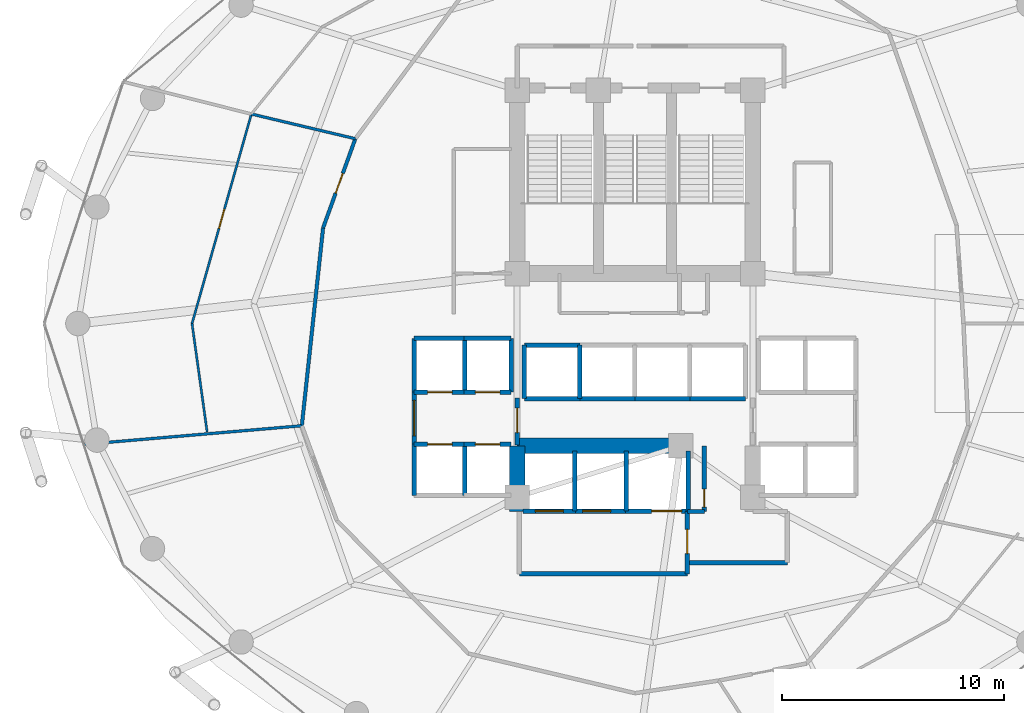
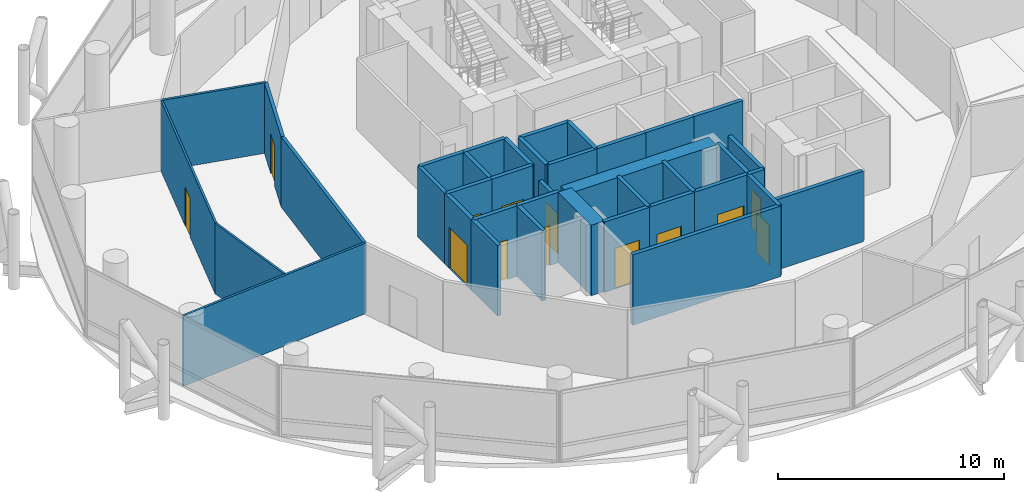
# One storey, part 21 of 24: 39 walls, 13 doors, 13 openings.
"""IFC4 building model written with IfcOpenShell, lengths in metres."""

import ifcopenshell
import ifcopenshell.guid

model = None  # the IFC model being written
_history = None  # IfcOwnerHistory: only IFC2X3 demands one
_inside = {}  # id of a spatial element -> (the spatial element, [elements in it])
_under = {}  # id of a project, library or spatial element -> (it, [spatial elements below it])
_declared = {}  # id of a project -> (the project, [libraries it declares])
_typed = {}  # id of a type object -> (the type object, [elements of that type])
_made_of = {}  # id of a material, layer set ... -> (it, [elements and type objects made of it])


def new_model(schema):
    """Start an empty IFC model of exactly this schema.

    Asked for "IFC4X3", IfcOpenShell would pick the latest addendum, in which some entities
    have other attributes; the version numbers below select the first issue.
    IFC2X3 requires an IfcOwnerHistory on every rooted entity: one is made here for all.
    """
    global model, _history
    if schema == "IFC4X3":
        model = ifcopenshell.file(schema_version=(4, 3, 0, 0))
    else:
        model = ifcopenshell.file(schema=schema)
    _inside.clear()
    _under.clear()
    _declared.clear()
    _typed.clear()
    _made_of.clear()
    _history = None
    if model.schema == "IFC2X3":
        org = make("IfcOrganization", Name="unknown")
        user = make(
            "IfcPersonAndOrganization",
            ThePerson=make("IfcPerson", FamilyName="unknown"),
            TheOrganization=org,
        )
        app = make(
            "IfcApplication",
            ApplicationDeveloper=org,
            Version="unknown",
            ApplicationFullName="unknown",
            ApplicationIdentifier="unknown",
        )
        _history = make(
            "IfcOwnerHistory",
            OwningUser=user,
            OwningApplication=app,
            ChangeAction="ADDED",
            CreationDate=0,
        )
    return model


def make(cls, **values):
    """One entity of the class cls with the attributes given. An attribute that is None is left unset."""
    return model.create_entity(
        cls, **{name: value for name, value in values.items() if value is not None}
    )


def rooted(cls, **values):
    """An entity with a GlobalId (a new one), such as an element, a storey or a relation."""
    return make(cls, GlobalId=ifcopenshell.guid.new(), OwnerHistory=_history, **values)


def si_unit(unit_type, name, prefix=None):
    """IfcSIUnit, for example si_unit("LENGTHUNIT", "METRE", prefix="MILLI")."""
    return make("IfcSIUnit", UnitType=unit_type, Prefix=prefix, Name=name)


def assignment(units):
    """IfcUnitAssignment: the units of a project."""
    return None if units is None else make("IfcUnitAssignment", Units=units)


def point(xyz):
    """IfcCartesianPoint."""
    return None if xyz is None else make("IfcCartesianPoint", Coordinates=xyz)


def direction(xyz):
    """IfcDirection."""
    return None if xyz is None else make("IfcDirection", DirectionRatios=xyz)


def frame(location, z_axis=None, x_axis=None):
    """IfcAxis2Placement3D, a coordinate frame: its origin and axes. An axis left out is left unset."""
    return make(
        "IfcAxis2Placement3D",
        Location=point(location),
        Axis=direction(z_axis),
        RefDirection=direction(x_axis),
    )


def frame_2d(location, x_axis=None):
    """IfcAxis2Placement2D, a coordinate frame in the plane: its origin and x axis."""
    return make(
        "IfcAxis2Placement2D", Location=point(location), RefDirection=direction(x_axis)
    )


def origin():
    """The frame at (0, 0, 0) with its axes left unset."""
    return frame((0.0, 0.0, 0.0))


def place(relative_to, where):
    """IfcLocalPlacement: puts the frame where relative to a parent placement (None: the world)."""
    return make(
        "IfcLocalPlacement", PlacementRelTo=relative_to, RelativePlacement=where
    )


def context(
    kind, dimensions, precision=None, world=None, true_north=None, identifier=None
):
    """IfcGeometricRepresentationContext, for example the 3D "Model" context."""
    return make(
        "IfcGeometricRepresentationContext",
        ContextIdentifier=identifier,
        ContextType=kind,
        CoordinateSpaceDimension=dimensions,
        Precision=precision,
        WorldCoordinateSystem=world,
        TrueNorth=true_north,
    )


def subcontext(parent, identifier, kind, view, scale=None):
    """IfcGeometricRepresentationSubContext, for example "Body" below "Model"."""
    return make(
        "IfcGeometricRepresentationSubContext",
        ContextIdentifier=identifier,
        ContextType=kind,
        ParentContext=parent,
        TargetScale=scale,
        TargetView=view,
    )


def project(units=None, contexts=None):
    """IfcProject with its units and contexts."""
    return rooted(
        "IfcProject",
        Name="project",
        RepresentationContexts=contexts,
        UnitsInContext=assignment(units),
    )


def spatial(cls, under=None, at=None, **own):
    """A site, building, storey or space (cls), placed at a placement, below another one or the project."""
    s = rooted(cls, ObjectPlacement=at, **own)
    if under is not None:
        _under.setdefault(under.id(), (under, []))[1].append(s)
    return s


def profile(cls, at=None, kind="AREA", **sizes):
    """A parametric profile (cls). Its sizes go by their IFC names, for example OverallWidth=200.0."""
    return make(cls, ProfileType=kind, Position=at, **sizes)


def rectangle(**sizes):
    """IfcRectangleProfileDef."""
    return profile("IfcRectangleProfileDef", **sizes)


def extrude(swept, where, along, depth):
    """IfcExtrudedAreaSolid: the profile swept, set in the frame where, extruded along a direction by depth."""
    return make(
        "IfcExtrudedAreaSolid",
        SweptArea=swept,
        Position=where,
        ExtrudedDirection=direction(along),
        Depth=depth,
    )


def shape(context_of_items, identifier, shape_type, items):
    """IfcShapeRepresentation: the items that make up one representation, for example the "Body"."""
    return make(
        "IfcShapeRepresentation",
        ContextOfItems=context_of_items,
        RepresentationIdentifier=identifier,
        RepresentationType=shape_type,
        Items=items,
    )


def material(Name=None, Category=None):
    """IfcMaterial."""
    return make("IfcMaterial", Name=Name, Category=Category)


def layer(
    of_material, thickness, ventilated=None, Name=None, Category=None, Priority=None
):
    """IfcMaterialLayer: one layer of a wall or slab, of a material (None: an air gap)."""
    return make(
        "IfcMaterialLayer",
        Material=of_material,
        LayerThickness=thickness,
        IsVentilated=ventilated,
        Name=Name,
        Category=Category,
        Priority=Priority,
    )


def layer_set(layers, Name=None):
    """IfcMaterialLayerSet."""
    return make("IfcMaterialLayerSet", MaterialLayers=layers, LayerSetName=Name)


def made_of(thing, what):
    """Note that an element or type object is made of a material, layer set ...; save() writes the relation."""
    if what is not None:
        _made_of.setdefault(what.id(), (what, []))[1].append(thing)
    return thing


def type_object(cls, material=None, **own):
    """A type object (cls), such as IfcWallType, which elements share."""
    return made_of(rooted(cls, **own), material)


def element(
    cls,
    number,
    at=None,
    inside=None,
    cuts=None,
    type_object=None,
    material=None,
    context=None,
    identifier="Body",
    shape_type=None,
    held_by="IfcProductDefinitionShape",
    body=None,
    shapes=None,
    **own,
):
    """One element of the class cls, such as IfcWall. Its Tag is "e" and its number.

    at: its placement. inside: the storey or other place that contains it. cuts: it is an
    opening in that element (IfcRelVoidsElement). A single representation is given by context,
    identifier, shape_type and body (its items); several are given by shapes. held_by: the class
    of the entity that holds the representations. save() writes the other relations.
    """
    e = rooted(cls, Tag="e%d" % number, ObjectPlacement=at, **own)
    if body is not None:
        shapes = [shape(context, identifier, shape_type, body)]
    if shapes is not None:
        e.Representation = make(held_by, Representations=shapes)
    if inside is not None:
        _inside.setdefault(inside.id(), (inside, []))[1].append(e)
    if cuts is not None:
        rooted(
            "IfcRelVoidsElement", RelatingBuildingElement=cuts, RelatedOpeningElement=e
        )
    if type_object is not None:
        _typed.setdefault(type_object.id(), (type_object, []))[1].append(e)
    return made_of(e, material)


def fill(opening, filler):
    """IfcRelFillsElement: the door or window that sits in an opening."""
    return rooted(
        "IfcRelFillsElement",
        RelatingOpeningElement=opening,
        RelatedBuildingElement=filler,
    )


def aggregate(whole, parts):
    """IfcRelAggregates: a whole, such as a stair, and the parts it consists of."""
    return rooted("IfcRelAggregates", RelatingObject=whole, RelatedObjects=parts)


def save(model, path):
    """Write the relations noted so far, then the file.

    IfcRelAggregates (storeys below a building ...), IfcRelContainedInSpatialStructure (elements
    in a storey), IfcRelDefinesByType, IfcRelAssociatesMaterial and IfcRelDeclares: one each for
    every whole, place, type object, material and project.
    """
    for whole, parts in _under.values():
        aggregate(whole, parts)
    for where, things in _inside.values():
        rooted(
            "IfcRelContainedInSpatialStructure",
            RelatedElements=things,
            RelatingStructure=where,
        )
    for kind, things in _typed.values():
        rooted("IfcRelDefinesByType", RelatedObjects=things, RelatingType=kind)
    for what, things in _made_of.values():
        rooted("IfcRelAssociatesMaterial", RelatedObjects=things, RelatingMaterial=what)
    for by, libraries in _declared.values():
        rooted("IfcRelDeclares", RelatingContext=by, RelatedDefinitions=libraries)
    model.write(path)


model = new_model("IFC4")

# Units and contexts
model_context = context("Model", 3, precision=1e-05, world=origin(), true_north=direction((0.0, 1.0)))
body_context = subcontext(model_context, "Body", "Model", "MODEL_VIEW")
ifc_project = project(units=[si_unit("LENGTHUNIT", "METRE"), si_unit("AREAUNIT", "SQUARE_METRE"), si_unit("VOLUMEUNIT", "CUBIC_METRE"), si_unit("PLANEANGLEUNIT", "RADIAN"), si_unit("MASSUNIT", "GRAM", prefix="KILO")], contexts=[model_context])

# Site, building, storey
site_placement = place(None, origin())
site = spatial("IfcSite", under=ifc_project, at=site_placement, CompositionType="ELEMENT")
building_placement = place(site_placement, origin())
building = spatial("IfcBuilding", under=site, at=building_placement, Name="Nuhasar Tower", CompositionType="ELEMENT")
storey_placement = place(building_placement, frame((0.0, 0.0, 85.800048828125)))
storey = spatial("IfcBuildingStorey", under=building, at=storey_placement, Name="L20", CompositionType="ELEMENT", Elevation=85.800048828125)

# Walls
ifc_material_1 = material(Name="Concrete C65/80", Category="concrete")
ifc_layer_1 = layer(ifc_material_1, 0.699951171875)
ifc_layer_set_1 = layer_set([ifc_layer_1], Name="Concrete C65/80")
wall_type_1 = type_object("IfcWallType", Name="WL-CORE-700", PredefinedType="SHEAR", material=ifc_layer_set_1)
wall_1_placement = place(storey_placement, frame((33.699951171875, 18.35009765625, 0.0), z_axis=(0.0, 0.0, 1.0), x_axis=(0.0, 1.0, 0.0)))
element("IfcWall", 1, at=wall_1_placement, inside=storey, type_object=wall_type_1, Name="L20 Core Shear Wall CW-SW CW-700", PredefinedType="SHEAR", context=body_context, shape_type="SweptSolid", body=[
    extrude(rectangle(XDim=2.949951171875, YDim=0.699951171875, at=frame_2d((1.47509765625, 0.0))), origin(), (0.0, 0.0, 1.0), 3.800048828125),
])
wall_2_placement = place(storey_placement, frame((33.699951171875, 21.300048828125, 0.0), z_axis=(0.0, 0.0, 1.0), x_axis=(1.0, 0.0, 0.0)))
element("IfcWall", 2, at=wall_2_placement, inside=storey, type_object=wall_type_1, Name="L20 Core Shear Wall CW-S1 CW-700", PredefinedType="SHEAR", context=body_context, shape_type="SweptSolid", body=[
    extrude(rectangle(XDim=7.550048828125, YDim=0.699951171875, at=frame_2d((3.77490234375, 0.0))), origin(), (0.0, 0.0, 1.0), 3.800048828125),
])

# Wall, opening, door
ifc_material_2 = material(Name="Gypsum Board", Category="gypsum")
ifc_layer_2 = layer(ifc_material_2, 0.159912109375)
ifc_layer_set_2 = layer_set([ifc_layer_2], Name="Gypsum Board")
wall_type_2 = type_object("IfcWallType", Name="WL-CORR-160", PredefinedType="PARTITIONING", material=ifc_layer_set_2)
wall_3_placement = place(storey_placement, frame((24.97509765625, 31.10205078125, 0.0), z_axis=(0.0, 0.0, 1.0), x_axis=(0.340183500837, 0.940359072779, 0.0)))
wall_3 = element("IfcWall", 3, at=wall_3_placement, inside=storey, type_object=wall_type_2, Name="L20 Interior Partition CORR-20", PredefinedType="PARTITIONING", context=body_context, shape_type="SweptSolid", body=[
    extrude(rectangle(XDim=4.26220703125, YDim=0.159912109375, at=frame_2d((2.131103515625, 0.0))), origin(), (0.0, 0.0, 1.0), 3.800048828125),
])
opening_1_placement = place(wall_3_placement, frame((1.656005859375, 0.0, 0.0)))
opening_1 = element("IfcOpeningElement", 4, at=opening_1_placement, cuts=wall_3, Name="Opening DO-01", PredefinedType="OPENING", context=body_context, shape_type="SweptSolid", body=[
    extrude(rectangle(XDim=0.949951171875, YDim=2.14990234375, at=frame_2d((0.47509765625, 1.074951171875))), frame((0.0, 0.08984375, 0.0), z_axis=(0.0, -1.0, 0.0), x_axis=(1.0, 0.0, 0.0)), (0.0, 0.0, 1.0), 0.179931640625),
])
ifc_material_3 = material(Name="Timber Oak", Category="wood")
door_type_1 = type_object("IfcDoorType", Name="DR-OFFICE-FD30-950", OperationType="NOTDEFINED", PredefinedType="DOOR", material=ifc_material_3)
door_1_placement = place(opening_1_placement, origin())
door_1 = element("IfcDoor", 5, at=door_1_placement, inside=storey, type_object=door_type_1, Name="L20 Protocol Banquet Dining Room Entry Door", OperationType="SINGLE_SWING_LEFT", OverallHeight=2.14990234375, OverallWidth=0.949951171875, PredefinedType="DOOR", context=body_context, shape_type="SweptSolid", body=[
    extrude(rectangle(XDim=0.949951171875, YDim=2.14990234375, at=frame_2d((0.47509765625, 1.074951171875))), frame((0.0, 0.02490234375, 0.0), z_axis=(0.0, -1.0, 0.0), x_axis=(1.0, 0.0, 0.0)), (0.0, 0.0, 1.0), 0.050048828125),
])
fill(opening_1, door_1)

# Wall
wall_4_placement = place(storey_placement, frame((24.97509765625, 31.10205078125, 0.0), z_axis=(0.0, 0.0, 1.0), x_axis=(-0.106843321034, -0.99427586954, 0.0)))
element("IfcWall", 6, at=wall_4_placement, inside=storey, type_object=wall_type_2, Name="L20 Interior Partition CORR-22", PredefinedType="PARTITIONING", context=body_context, shape_type="SweptSolid", body=[
    extrude(rectangle(XDim=8.9482421875, YDim=0.159912109375, at=frame_2d((4.47412109375, 0.0))), origin(), (0.0, 0.0, 1.0), 3.800048828125),
])

# Wall, opening, door
ifc_material_4 = material(Name="Concrete C45/55", Category="concrete")
ifc_layer_3 = layer(ifc_material_4, 0.199951171875)
ifc_layer_set_3 = layer_set([ifc_layer_3], Name="Concrete C45/55")
wall_type_3 = type_object("IfcWallType", Name="WL-LOBBY-200", PredefinedType="SOLIDWALL", material=ifc_layer_set_3)
wall_5_placement = place(storey_placement, frame((29.070068359375, 21.3798828125, 0.0), z_axis=(0.0, 0.0, 1.0), x_axis=(0.0, 1.0, 0.0)))
wall_5 = element("IfcWall", 7, at=wall_5_placement, inside=storey, type_object=wall_type_3, Name="L20 Interior Partition LLBL-W", PredefinedType="SOLIDWALL", context=body_context, shape_type="SweptSolid", body=[
    extrude(rectangle(XDim=2.340087890625, YDim=0.199951171875, at=frame_2d((1.169921875, 0.0))), origin(), (0.0, 0.0, 1.0), 3.800048828125),
])
opening_2_placement = place(wall_5_placement, frame((0.3701171875, 0.0, 0.0)))
opening_2 = element("IfcOpeningElement", 8, at=opening_2_placement, cuts=wall_5, Name="Opening DC-01", PredefinedType="OPENING", context=body_context, shape_type="SweptSolid", body=[
    extrude(rectangle(XDim=1.60009765625, YDim=2.199951171875, at=frame_2d((0.800048828125, 1.10009765625))), frame((0.0, 0.10986328125, 0.0), z_axis=(0.0, -1.0, 0.0), x_axis=(1.0, 0.0, 0.0)), (0.0, 0.0, 1.0), 0.219970703125),
])
ifc_material_5 = material(Name="Steel S355", Category="steel")
door_type_2 = type_object("IfcDoorType", Name="DR-CORR-FD60-1600", OperationType="DOUBLE_DOOR_SINGLE_SWING", PredefinedType="DOOR", material=ifc_material_5)
door_2_placement = place(opening_2_placement, origin())
door_2 = element("IfcDoor", 9, at=door_2_placement, inside=storey, type_object=door_type_2, Name="L20 Low-Rise Lift Lobby West Entry", OperationType="DOUBLE_DOOR_SINGLE_SWING", OverallHeight=2.199951171875, OverallWidth=1.60009765625, PredefinedType="DOOR", context=body_context, shape_type="SweptSolid", body=[
    extrude(rectangle(XDim=1.60009765625, YDim=2.199951171875, at=frame_2d((0.800048828125, 1.10009765625))), frame((0.0, 0.02490234375, 0.0), z_axis=(0.0, -1.0, 0.0), x_axis=(1.0, 0.0, 0.0)), (0.0, 0.0, 1.0), 0.050048828125),
])
fill(opening_2, door_2)

wall_6_placement = place(storey_placement, frame((33.699951171875, 21.35009765625, 0.0), z_axis=(0.0, 0.0, 1.0), x_axis=(0.0, 1.0, 0.0)))
wall_6 = element("IfcWall", 10, at=wall_6_placement, inside=storey, type_object=wall_type_3, Name="L20 Interior Partition LLBH-W", PredefinedType="SOLIDWALL", context=body_context, shape_type="SweptSolid", body=[
    extrude(rectangle(XDim=2.099853515625, YDim=0.199951171875, at=frame_2d((1.0498046875, 0.0))), origin(), (0.0, 0.0, 1.0), 3.02001953125),
])
opening_3_placement = place(wall_6_placement, frame((0.550048828125, 0.0, 0.0)))
opening_3 = element("IfcOpeningElement", 11, at=opening_3_placement, cuts=wall_6, Name="Opening DS-02", PredefinedType="OPENING", context=body_context, shape_type="SweptSolid", body=[
    extrude(rectangle(XDim=1.10009765625, YDim=2.14990234375, at=frame_2d((0.550048828125, 1.074951171875))), frame((0.0, 0.10986328125, 0.0), z_axis=(0.0, -1.0, 0.0), x_axis=(1.0, 0.0, 0.0)), (0.0, 0.0, 1.0), 0.219970703125),
])
door_type_3 = type_object("IfcDoorType", Name="DR-FFL-FD120-1100", OperationType="NOTDEFINED", PredefinedType="DOOR", material=ifc_material_5)
door_3_placement = place(opening_3_placement, origin())
door_3 = element("IfcDoor", 12, at=door_3_placement, inside=storey, type_object=door_type_3, Name="L20 High-Rise Lobby West Door", OperationType="SINGLE_SWING_RIGHT", OverallHeight=2.14990234375, OverallWidth=1.10009765625, PredefinedType="DOOR", context=body_context, shape_type="SweptSolid", body=[
    extrude(rectangle(XDim=1.10009765625, YDim=2.14990234375, at=frame_2d((0.550048828125, 1.074951171875))), frame((0.0, 0.02490234375, 0.0), z_axis=(0.0, -1.0, 0.0), x_axis=(1.0, 0.0, 0.0)), (0.0, 0.0, 1.0), 0.050048828125),
])
fill(opening_3, door_3)

# Wall
wall_7_placement = place(storey_placement, frame((33.800048828125, 15.550048828125, 0.0), z_axis=(0.0, 0.0, 1.0), x_axis=(1.0, 0.0, 0.0)))
element("IfcWall", 13, at=wall_7_placement, inside=storey, type_object=wall_type_3, Name="L20 Interior Partition FFL-S", PredefinedType="SOLIDWALL", context=body_context, shape_type="SweptSolid", body=[
    extrude(rectangle(XDim=7.550048828125, YDim=0.199951171875, at=frame_2d((3.77490234375, 0.0))), origin(), (0.0, 0.0, 1.0), 3.800048828125),
])

# Wall, opening, door
wall_8_placement = place(storey_placement, frame((41.35009765625, 15.550048828125, 0.0), z_axis=(0.0, 0.0, 1.0), x_axis=(0.0, 1.0, 0.0)))
wall_8 = element("IfcWall", 14, at=wall_8_placement, inside=storey, type_object=wall_type_3, Name="L20 Interior Partition FFL-E", PredefinedType="SOLIDWALL", context=body_context, shape_type="SweptSolid", body=[
    extrude(rectangle(XDim=2.800048828125, YDim=0.199951171875, at=frame_2d((1.39990234375, 0.0))), origin(), (0.0, 0.0, 1.0), 3.800048828125),
])
opening_4_placement = place(wall_8_placement, frame((0.89990234375, 0.0, 0.0)))
opening_4 = element("IfcOpeningElement", 15, at=opening_4_placement, cuts=wall_8, Name="Opening DS-02", PredefinedType="OPENING", context=body_context, shape_type="SweptSolid", body=[
    extrude(rectangle(XDim=1.10009765625, YDim=2.14990234375, at=frame_2d((0.550048828125, 1.074951171875))), frame((0.0, 0.10986328125, 0.0), z_axis=(0.0, -1.0, 0.0), x_axis=(1.0, 0.0, 0.0)), (0.0, 0.0, 1.0), 0.219970703125),
])
door_4_placement = place(opening_4_placement, origin())
door_4 = element("IfcDoor", 16, at=door_4_placement, inside=storey, type_object=door_type_3, Name="L20 Firefighting Lobby Door", OperationType="SINGLE_SWING_RIGHT", OverallHeight=2.14990234375, OverallWidth=1.10009765625, PredefinedType="DOOR", context=body_context, shape_type="SweptSolid", body=[
    extrude(rectangle(XDim=1.10009765625, YDim=2.14990234375, at=frame_2d((0.550048828125, 1.074951171875))), frame((0.0, 0.02490234375, 0.0), z_axis=(0.0, -1.0, 0.0), x_axis=(1.0, 0.0, 0.0)), (0.0, 0.0, 1.0), 0.050048828125),
])
fill(opening_4, door_4)

# Wall
wall_9_placement = place(storey_placement, frame((41.35009765625, 16.050048828125, 0.0), z_axis=(0.0, 0.0, 1.0), x_axis=(1.0, 0.0, 0.0)))
element("IfcWall", 17, at=wall_9_placement, inside=storey, type_object=wall_type_3, Name="L20 Interior Partition SVLV-S", PredefinedType="SOLIDWALL", context=body_context, shape_type="SweptSolid", body=[
    extrude(rectangle(XDim=4.5, YDim=0.199951171875, at=frame_2d((2.25, 0.0))), origin(), (0.0, 0.0, 1.0), 3.800048828125),
])

# Wall, opening, door
ifc_material_6 = material(Name="Aluminium 6063-T6", Category="aluminium")
ifc_layer_4 = layer(ifc_material_6, 0.10009765625)
ifc_layer_set_4 = layer_set([ifc_layer_4], Name="Aluminium 6063-T6")
wall_type_4 = type_object("IfcWallType", Name="WL-MOVABLE-100", PredefinedType="MOVABLE", material=ifc_layer_set_4)
wall_10_placement = place(storey_placement, frame((19.08203125, 26.800048828125, 0.0), z_axis=(0.0, 0.0, 1.0), x_axis=(0.272547183725, 0.962142418067, 0.0)))
wall_10 = element("IfcWall", 18, at=wall_10_placement, inside=storey, type_object=wall_type_4, Name="L20 Interior Partition OMID-03-20", PredefinedType="MOVABLE", context=body_context, shape_type="SweptSolid", body=[
    extrude(rectangle(XDim=9.79248046875, YDim=0.10009765625, at=frame_2d((4.896240234375, 0.0))), origin(), (0.0, 0.0, 1.0), 3.800048828125),
])
opening_5_placement = place(wall_10_placement, frame((4.446044921875, 0.0, 0.0)))
opening_5 = element("IfcOpeningElement", 19, at=opening_5_placement, cuts=wall_10, Name="Opening DR-01", PredefinedType="OPENING", context=body_context, shape_type="SweptSolid", body=[
    extrude(rectangle(XDim=0.89990234375, YDim=2.10009765625, at=frame_2d((0.449951171875, 1.050048828125))), frame((0.0, 0.06005859375, 0.0), z_axis=(0.0, -1.0, 0.0), x_axis=(1.0, 0.0, 0.0)), (0.0, 0.0, 1.0), 0.1201171875),
])
door_type_4 = type_object("IfcDoorType", Name="DR-ROOM-900", OperationType="NOTDEFINED", PredefinedType="DOOR", material=ifc_material_3)
door_5_placement = place(opening_5_placement, origin())
door_5 = element("IfcDoor", 20, at=door_5_placement, inside=storey, type_object=door_type_4, Name="L20 Protocol Banquet Dining Room Inner Door", OperationType="SINGLE_SWING_RIGHT", OverallHeight=2.10009765625, OverallWidth=0.89990234375, PredefinedType="DOOR", context=body_context, shape_type="SweptSolid", body=[
    extrude(rectangle(XDim=0.89990234375, YDim=2.10009765625, at=frame_2d((0.449951171875, 1.050048828125))), frame((0.0, 0.02490234375, 0.0), z_axis=(0.0, -1.0, 0.0), x_axis=(1.0, 0.0, 0.0)), (0.0, 0.0, 1.0), 0.050048828125),
])
fill(opening_5, door_5)

# Walls
wall_11_placement = place(storey_placement, frame((19.08203125, 26.800048828125, 0.0), z_axis=(0.0, 0.0, 1.0), x_axis=(0.137887249671, -0.990447932189, 0.0)))
element("IfcWall", 21, at=wall_11_placement, inside=storey, type_object=wall_type_4, Name="L20 Interior Partition OMID-03-24", PredefinedType="MOVABLE", context=body_context, shape_type="SweptSolid", body=[
    extrude(rectangle(XDim=4.924072265625, YDim=0.10009765625, at=frame_2d((2.4619140625, 0.0))), origin(), (0.0, 0.0, 1.0), 3.800048828125),
])
ifc_layer_5 = layer(ifc_material_2, 0.125)
ifc_layer_set_5 = layer_set([ifc_layer_5], Name="Gypsum Board")
wall_type_5 = type_object("IfcWallType", Name="WL-PART-125", PredefinedType="PARTITIONING", material=ifc_layer_set_5)
wall_12_placement = place(storey_placement, frame((26.425048828125, 35.110107421875, 0.0), z_axis=(0.0, 0.0, 1.0), x_axis=(-0.972855808005, 0.23141213631, 0.0)))
element("IfcWall", 22, at=wall_12_placement, inside=storey, type_object=wall_type_5, Name="L20 Interior Partition ORAD-20-S1", PredefinedType="PARTITIONING", context=body_context, shape_type="SweptSolid", body=[
    extrude(rectangle(XDim=4.804443359375, YDim=0.125, at=frame_2d((2.40234375, 0.0))), origin(), (0.0, 0.0, 1.0), 3.800048828125),
])
wall_13_placement = place(storey_placement, frame((24.01904296875, 22.205078125, 0.0), z_axis=(0.0, 0.0, 1.0), x_axis=(-0.996355302193, -0.085300127731, 0.0)))
element("IfcWall", 23, at=wall_13_placement, inside=storey, type_object=wall_type_5, Name="L20 Interior Partition ORAD-26", PredefinedType="PARTITIONING", context=body_context, shape_type="SweptSolid", body=[
    extrude(rectangle(XDim=9.802734375, YDim=0.125, at=frame_2d((4.9013671875, 0.0))), origin(), (0.0, 0.0, 1.0), 3.800048828125),
])

# Wall, opening, door
ifc_layer_6 = layer(ifc_material_4, 0.199951171875)
ifc_layer_set_6 = layer_set([ifc_layer_6], Name="Concrete C45/55")
wall_type_6 = type_object("IfcWallType", Name="WL-SHAFT-200", PredefinedType="SOLIDWALL", material=ifc_layer_set_6)
wall_14_placement = place(storey_placement, frame((29.070068359375, 23.719970703125, 0.0), z_axis=(0.0, 0.0, 1.0), x_axis=(1.0, 0.0, 0.0)))
wall_14 = element("IfcWall", 24, at=wall_14_placement, inside=storey, type_object=wall_type_6, Name="L20 Interior Partition SHF-PL-L01-S", PredefinedType="SOLIDWALL", context=body_context, shape_type="SweptSolid", body=[
    extrude(rectangle(XDim=2.309814453125, YDim=0.199951171875, at=frame_2d((1.15478515625, 0.0))), origin(), (0.0, 0.0, 1.0), 3.800048828125),
])
opening_6_placement = place(wall_14_placement, frame((0.60498046875, 0.0, 0.0)))
opening_6 = element("IfcOpeningElement", 25, at=opening_6_placement, cuts=wall_14, Name="Opening LD-L01", PredefinedType="OPENING", context=body_context, shape_type="SweptSolid", body=[
    extrude(rectangle(XDim=1.10009765625, YDim=2.14990234375, at=frame_2d((0.550048828125, 1.074951171875))), frame((0.0, 0.10986328125, 0.0), z_axis=(0.0, -1.0, 0.0), x_axis=(1.0, 0.0, 0.0)), (0.0, 0.0, 1.0), 0.219970703125),
])
ifc_material_7 = material(Name="Stainless Steel 316L", Category="steel")
door_type_5 = type_object("IfcDoorType", Name="LD-PAX-1100", OperationType="DOUBLE_DOOR_SLIDING", PredefinedType="DOOR", material=ifc_material_7)
door_6_placement = place(opening_6_placement, origin())
door_6 = element("IfcDoor", 26, at=door_6_placement, inside=storey, type_object=door_type_5, Name="L20 Lift Landing Door PL-L01", OperationType="DOUBLE_DOOR_SLIDING", OverallHeight=2.14990234375, OverallWidth=1.10009765625, PredefinedType="DOOR", context=body_context, shape_type="SweptSolid", body=[
    extrude(rectangle(XDim=1.10009765625, YDim=2.14990234375, at=frame_2d((0.550048828125, 1.074951171875))), frame((0.0, 0.02490234375, 0.0), z_axis=(0.0, -1.0, 0.0), x_axis=(1.0, 0.0, 0.0)), (0.0, 0.0, 1.0), 0.050048828125),
])
fill(opening_6, door_6)

# Walls
wall_15_placement = place(storey_placement, frame((29.070068359375, 26.1298828125, 0.0), z_axis=(0.0, 0.0, 1.0), x_axis=(1.0, 0.0, 0.0)))
element("IfcWall", 27, at=wall_15_placement, inside=storey, type_object=wall_type_6, Name="L20 Interior Partition SHF-PL-L01-N", PredefinedType="SOLIDWALL", context=body_context, shape_type="SweptSolid", body=[
    extrude(rectangle(XDim=2.309814453125, YDim=0.199951171875, at=frame_2d((1.15478515625, 0.0))), origin(), (0.0, 0.0, 1.0), 3.800048828125),
])
for number, where, z_axis, x_axis, name in (
    (28, (29.070068359375, 23.719970703125, 0.0), (0.0, 0.0, 1.0), (0.0, 1.0, 0.0), "L20 Interior Partition SHF-PL-L01-W"),
    (29, (31.35009765625, 23.719970703125, 0.0), (0.0, 0.0, 1.0), (0.0, 1.0, 0.0), "L20 Interior Partition SHF-PL-L01-E"),
):
    element("IfcWall", number, at=place(storey_placement, frame(where, z_axis=z_axis, x_axis=x_axis)), inside=storey, type_object=wall_type_6, Name=name, PredefinedType="SOLIDWALL", context=body_context, shape_type="SweptSolid", body=[
        extrude(rectangle(XDim=2.409912109375, YDim=0.199951171875, at=frame_2d((1.205078125, 0.0))), origin(), (0.0, 0.0, 1.0), 3.800048828125),
    ])

# Wall, opening, door
wall_16_placement = place(storey_placement, frame((31.320068359375, 23.719970703125, 0.0), z_axis=(0.0, 0.0, 1.0), x_axis=(1.0, 0.0, 0.0)))
wall_16 = element("IfcWall", 30, at=wall_16_placement, inside=storey, type_object=wall_type_6, Name="L20 Interior Partition SHF-PL-L02-S", PredefinedType="SOLIDWALL", context=body_context, shape_type="SweptSolid", body=[
    extrude(rectangle(XDim=2.10986328125, YDim=0.199951171875, at=frame_2d((1.054931640625, 0.0))), origin(), (0.0, 0.0, 1.0), 3.800048828125),
])
opening_7_placement = place(wall_16_placement, frame((0.5048828125, 0.0, 0.0)))
opening_7 = element("IfcOpeningElement", 31, at=opening_7_placement, cuts=wall_16, Name="Opening LD-L02", PredefinedType="OPENING", context=body_context, shape_type="SweptSolid", body=[
    extrude(rectangle(XDim=1.10009765625, YDim=2.14990234375, at=frame_2d((0.550048828125, 1.074951171875))), frame((0.0, 0.10986328125, 0.0), z_axis=(0.0, -1.0, 0.0), x_axis=(1.0, 0.0, 0.0)), (0.0, 0.0, 1.0), 0.219970703125),
])
door_7_placement = place(opening_7_placement, origin())
door_7 = element("IfcDoor", 32, at=door_7_placement, inside=storey, type_object=door_type_5, Name="L20 Lift Landing Door PL-L02", OperationType="DOUBLE_DOOR_SLIDING", OverallHeight=2.14990234375, OverallWidth=1.10009765625, PredefinedType="DOOR", context=body_context, shape_type="SweptSolid", body=[
    extrude(rectangle(XDim=1.10009765625, YDim=2.14990234375, at=frame_2d((0.550048828125, 1.074951171875))), frame((0.0, 0.02490234375, 0.0), z_axis=(0.0, -1.0, 0.0), x_axis=(1.0, 0.0, 0.0)), (0.0, 0.0, 1.0), 0.050048828125),
])
fill(opening_7, door_7)

# Walls
wall_17_placement = place(storey_placement, frame((31.320068359375, 26.1298828125, 0.0), z_axis=(0.0, 0.0, 1.0), x_axis=(1.0, 0.0, 0.0)))
element("IfcWall", 33, at=wall_17_placement, inside=storey, type_object=wall_type_6, Name="L20 Interior Partition SHF-PL-L02-N", PredefinedType="SOLIDWALL", context=body_context, shape_type="SweptSolid", body=[
    extrude(rectangle(XDim=2.10986328125, YDim=0.199951171875, at=frame_2d((1.054931640625, 0.0))), origin(), (0.0, 0.0, 1.0), 3.800048828125),
])
wall_18_placement = place(storey_placement, frame((33.429931640625, 23.719970703125, 0.0), z_axis=(0.0, 0.0, 1.0), x_axis=(0.0, 1.0, 0.0)))
element("IfcWall", 34, at=wall_18_placement, inside=storey, type_object=wall_type_6, Name="L20 Interior Partition SHF-PL-L02-E", PredefinedType="SOLIDWALL", context=body_context, shape_type="SweptSolid", body=[
    extrude(rectangle(XDim=2.409912109375, YDim=0.199951171875, at=frame_2d((1.205078125, 0.0))), origin(), (0.0, 0.0, 1.0), 3.800048828125),
])

# Wall, opening, door
wall_19_placement = place(storey_placement, frame((29.070068359375, 21.3798828125, 0.0), z_axis=(0.0, 0.0, 1.0), x_axis=(1.0, 0.0, 0.0)))
wall_19 = element("IfcWall", 35, at=wall_19_placement, inside=storey, type_object=wall_type_6, Name="L20 Interior Partition SHF-PL-L03-N", PredefinedType="SOLIDWALL", context=body_context, shape_type="SweptSolid", body=[
    extrude(rectangle(XDim=2.309814453125, YDim=0.199951171875, at=frame_2d((1.15478515625, 0.0))), origin(), (0.0, 0.0, 1.0), 3.800048828125),
])
opening_8_placement = place(wall_19_placement, frame((0.60498046875, 0.0, 0.0)))
opening_8 = element("IfcOpeningElement", 36, at=opening_8_placement, cuts=wall_19, Name="Opening LD-L03", PredefinedType="OPENING", context=body_context, shape_type="SweptSolid", body=[
    extrude(rectangle(XDim=1.10009765625, YDim=2.14990234375, at=frame_2d((0.550048828125, 1.074951171875))), frame((0.0, 0.10986328125, 0.0), z_axis=(0.0, -1.0, 0.0), x_axis=(1.0, 0.0, 0.0)), (0.0, 0.0, 1.0), 0.219970703125),
])
door_8_placement = place(opening_8_placement, origin())
door_8 = element("IfcDoor", 37, at=door_8_placement, inside=storey, type_object=door_type_5, Name="L20 Lift Landing Door PL-L03", OperationType="DOUBLE_DOOR_SLIDING", OverallHeight=2.14990234375, OverallWidth=1.10009765625, PredefinedType="DOOR", context=body_context, shape_type="SweptSolid", body=[
    extrude(rectangle(XDim=1.10009765625, YDim=2.14990234375, at=frame_2d((0.550048828125, 1.074951171875))), frame((0.0, 0.02490234375, 0.0), z_axis=(0.0, -1.0, 0.0), x_axis=(1.0, 0.0, 0.0)), (0.0, 0.0, 1.0), 0.050048828125),
])
fill(opening_8, door_8)

# Walls
for number, where, z_axis, x_axis, name in (
    (38, (29.070068359375, 19.070068359375, 0.0), (0.0, 0.0, 1.0), (0.0, 1.0, 0.0), "L20 Interior Partition SHF-PL-L03-W"),
    (39, (31.35009765625, 19.070068359375, 0.0), (0.0, 0.0, 1.0), (0.0, 1.0, 0.0), "L20 Interior Partition SHF-PL-L03-E"),
):
    element("IfcWall", number, at=place(storey_placement, frame(where, z_axis=z_axis, x_axis=x_axis)), inside=storey, type_object=wall_type_6, Name=name, PredefinedType="SOLIDWALL", context=body_context, shape_type="SweptSolid", body=[
        extrude(rectangle(XDim=2.309814453125, YDim=0.199951171875, at=frame_2d((1.15478515625, 0.0))), origin(), (0.0, 0.0, 1.0), 3.800048828125),
    ])

# Wall, opening, door
wall_20_placement = place(storey_placement, frame((31.320068359375, 21.3798828125, 0.0), z_axis=(0.0, 0.0, 1.0), x_axis=(1.0, 0.0, 0.0)))
wall_20 = element("IfcWall", 40, at=wall_20_placement, inside=storey, type_object=wall_type_6, Name="L20 Interior Partition SHF-PL-L04-N", PredefinedType="SOLIDWALL", context=body_context, shape_type="SweptSolid", body=[
    extrude(rectangle(XDim=2.10986328125, YDim=0.199951171875, at=frame_2d((1.054931640625, 0.0))), origin(), (0.0, 0.0, 1.0), 3.800048828125),
])
opening_9_placement = place(wall_20_placement, frame((0.5048828125, 0.0, 0.0)))
opening_9 = element("IfcOpeningElement", 41, at=opening_9_placement, cuts=wall_20, Name="Opening LD-L04", PredefinedType="OPENING", context=body_context, shape_type="SweptSolid", body=[
    extrude(rectangle(XDim=1.10009765625, YDim=2.14990234375, at=frame_2d((0.550048828125, 1.074951171875))), frame((0.0, 0.10986328125, 0.0), z_axis=(0.0, -1.0, 0.0), x_axis=(1.0, 0.0, 0.0)), (0.0, 0.0, 1.0), 0.219970703125),
])
door_9_placement = place(opening_9_placement, origin())
door_9 = element("IfcDoor", 42, at=door_9_placement, inside=storey, type_object=door_type_5, Name="L20 Lift Landing Door PL-L04", OperationType="DOUBLE_DOOR_SLIDING", OverallHeight=2.14990234375, OverallWidth=1.10009765625, PredefinedType="DOOR", context=body_context, shape_type="SweptSolid", body=[
    extrude(rectangle(XDim=1.10009765625, YDim=2.14990234375, at=frame_2d((0.550048828125, 1.074951171875))), frame((0.0, 0.02490234375, 0.0), z_axis=(0.0, -1.0, 0.0), x_axis=(1.0, 0.0, 0.0)), (0.0, 0.0, 1.0), 0.050048828125),
])
fill(opening_9, door_9)

# Walls
for number, where, z_axis, x_axis, name in (
    (43, (34.02001953125, 23.419921875, 0.0), (0.0, 0.0, 1.0), (1.0, 0.0, 0.0), "L20 Interior Partition SHF-PL-H01-S"),
    (44, (34.02001953125, 25.830078125, 0.0), (0.0, 0.0, 1.0), (1.0, 0.0, 0.0), "L20 Interior Partition SHF-PL-H01-N"),
):
    element("IfcWall", number, at=place(storey_placement, frame(where, z_axis=z_axis, x_axis=x_axis)), inside=storey, type_object=wall_type_6, Name=name, PredefinedType="SOLIDWALL", context=body_context, shape_type="SweptSolid", body=[
        extrude(rectangle(XDim=2.5, YDim=0.199951171875, at=frame_2d((1.25, 0.0))), origin(), (0.0, 0.0, 1.0), 3.800048828125),
    ])
for number, where, z_axis, x_axis, name in (
    (45, (34.02001953125, 23.419921875, 0.0), (0.0, 0.0, 1.0), (0.0, 1.0, 0.0), "L20 Interior Partition SHF-PL-H01-W"),
    (46, (36.510009765625, 23.419921875, 0.0), (0.0, 0.0, 1.0), (0.0, 1.0, 0.0), "L20 Interior Partition SHF-PL-H01-E"),
):
    element("IfcWall", number, at=place(storey_placement, frame(where, z_axis=z_axis, x_axis=x_axis)), inside=storey, type_object=wall_type_6, Name=name, PredefinedType="SOLIDWALL", context=body_context, shape_type="SweptSolid", body=[
        extrude(rectangle(XDim=2.41015625, YDim=0.199951171875, at=frame_2d((1.205078125, 0.0))), origin(), (0.0, 0.0, 1.0), 3.800048828125),
    ])
for number, where, z_axis, x_axis, name in (
    (47, (36.5, 23.419921875, 0.0), (0.0, 0.0, 1.0), (1.0, 0.0, 0.0), "L20 Interior Partition SHF-PL-H02-S"),
    (48, (38.97998046875, 23.419921875, 0.0), (0.0, 0.0, 1.0), (1.0, 0.0, 0.0), "L20 Interior Partition SHF-PL-H03-S"),
    (49, (41.4599609375, 23.419921875, 0.0), (0.0, 0.0, 1.0), (1.0, 0.0, 0.0), "L20 Interior Partition SHF-PL-H04-S"),
):
    element("IfcWall", number, at=place(storey_placement, frame(where, z_axis=z_axis, x_axis=x_axis)), inside=storey, type_object=wall_type_6, Name=name, PredefinedType="SOLIDWALL", context=body_context, shape_type="SweptSolid", body=[
        extrude(rectangle(XDim=2.5, YDim=0.199951171875, at=frame_2d((1.25, 0.0))), origin(), (0.0, 0.0, 1.0), 3.800048828125),
    ])

# Wall, opening, door
wall_21_placement = place(storey_placement, frame((33.969970703125, 18.3701171875, 0.0), z_axis=(0.0, 0.0, 1.0), x_axis=(1.0, 0.0, 0.0)))
wall_21 = element("IfcWall", 50, at=wall_21_placement, inside=storey, type_object=wall_type_6, Name="L20 Interior Partition SHF-FFL-01-S", PredefinedType="SOLIDWALL", context=body_context, shape_type="SweptSolid", body=[
    extrude(rectangle(XDim=2.360107421875, YDim=0.199951171875, at=frame_2d((1.18017578125, 0.0))), origin(), (0.0, 0.0, 1.0), 3.800048828125),
])
opening_10_placement = place(wall_21_placement, frame((0.554931640625, 0.0, 0.0)))
opening_10 = element("IfcOpeningElement", 51, at=opening_10_placement, cuts=wall_21, Name="Opening LD-F01", PredefinedType="OPENING", context=body_context, shape_type="SweptSolid", body=[
    extrude(rectangle(XDim=1.25, YDim=2.199951171875, at=frame_2d((0.625, 1.10009765625))), frame((0.0, 0.10986328125, 0.0), z_axis=(0.0, -1.0, 0.0), x_axis=(1.0, 0.0, 0.0)), (0.0, 0.0, 1.0), 0.219970703125),
])
door_type_6 = type_object("IfcDoorType", Name="LD-FFL-1250", OperationType="DOUBLE_DOOR_SLIDING", PredefinedType="DOOR", material=ifc_material_7)
door_10_placement = place(opening_10_placement, origin())
door_10 = element("IfcDoor", 52, at=door_10_placement, inside=storey, type_object=door_type_6, Name="L20 Lift Landing Door FFL-01", OperationType="DOUBLE_DOOR_SLIDING", OverallHeight=2.199951171875, OverallWidth=1.25, PredefinedType="DOOR", context=body_context, shape_type="SweptSolid", body=[
    extrude(rectangle(XDim=1.25, YDim=2.199951171875, at=frame_2d((0.625, 1.10009765625))), frame((0.0, 0.02490234375, 0.0), z_axis=(0.0, -1.0, 0.0), x_axis=(1.0, 0.0, 0.0)), (0.0, 0.0, 1.0), 0.050048828125),
])
fill(opening_10, door_10)

# Wall
wall_22_placement = place(storey_placement, frame((36.300048828125, 18.3701171875, 0.0), z_axis=(0.0, 0.0, 1.0), x_axis=(0.0, 1.0, 0.0)))
element("IfcWall", 53, at=wall_22_placement, inside=storey, type_object=wall_type_6, Name="L20 Interior Partition SHF-FFL-01-E", PredefinedType="SOLIDWALL", context=body_context, shape_type="SweptSolid", body=[
    extrude(rectangle(XDim=2.7099609375, YDim=0.199951171875, at=frame_2d((1.35498046875, 0.0))), origin(), (0.0, 0.0, 1.0), 3.800048828125),
])

# Wall, opening, door
wall_23_placement = place(storey_placement, frame((36.27001953125, 18.3701171875, 0.0), z_axis=(0.0, 0.0, 1.0), x_axis=(1.0, 0.0, 0.0)))
wall_23 = element("IfcWall", 54, at=wall_23_placement, inside=storey, type_object=wall_type_6, Name="L20 Interior Partition SHF-FFL-02-S", PredefinedType="SOLIDWALL", context=body_context, shape_type="SweptSolid", body=[
    extrude(rectangle(XDim=2.35986328125, YDim=0.199951171875, at=frame_2d((1.179931640625, 0.0))), origin(), (0.0, 0.0, 1.0), 3.800048828125),
])
opening_11_placement = place(wall_23_placement, frame((0.3798828125, 0.0, 0.0)))
opening_11 = element("IfcOpeningElement", 55, at=opening_11_placement, cuts=wall_23, Name="Opening LD-F02", PredefinedType="OPENING", context=body_context, shape_type="SweptSolid", body=[
    extrude(rectangle(XDim=1.25, YDim=2.199951171875, at=frame_2d((0.625, 1.10009765625))), frame((0.0, 0.10986328125, 0.0), z_axis=(0.0, -1.0, 0.0), x_axis=(1.0, 0.0, 0.0)), (0.0, 0.0, 1.0), 0.219970703125),
])
door_11_placement = place(opening_11_placement, origin())
door_11 = element("IfcDoor", 56, at=door_11_placement, inside=storey, type_object=door_type_6, Name="L20 Lift Landing Door FFL-02", OperationType="DOUBLE_DOOR_SLIDING", OverallHeight=2.199951171875, OverallWidth=1.25, PredefinedType="DOOR", context=body_context, shape_type="SweptSolid", body=[
    extrude(rectangle(XDim=1.25, YDim=2.199951171875, at=frame_2d((0.625, 1.10009765625))), frame((0.0, 0.02490234375, 0.0), z_axis=(0.0, -1.0, 0.0), x_axis=(1.0, 0.0, 0.0)), (0.0, 0.0, 1.0), 0.050048828125),
])
fill(opening_11, door_11)

# Wall
wall_24_placement = place(storey_placement, frame((38.60009765625, 18.3701171875, 0.0), z_axis=(0.0, 0.0, 1.0), x_axis=(0.0, 1.0, 0.0)))
element("IfcWall", 57, at=wall_24_placement, inside=storey, type_object=wall_type_6, Name="L20 Interior Partition SHF-FFL-02-E", PredefinedType="SOLIDWALL", context=body_context, shape_type="SweptSolid", body=[
    extrude(rectangle(XDim=2.7099609375, YDim=0.199951171875, at=frame_2d((1.35498046875, 0.0))), origin(), (0.0, 0.0, 1.0), 3.800048828125),
])

# Wall, opening, door
wall_25_placement = place(storey_placement, frame((38.570068359375, 18.3701171875, 0.0), z_axis=(0.0, 0.0, 1.0), x_axis=(1.0, 0.0, 0.0)))
wall_25 = element("IfcWall", 58, at=wall_25_placement, inside=storey, type_object=wall_type_6, Name="L20 Interior Partition SHF-SVL-01-S", PredefinedType="SOLIDWALL", context=body_context, shape_type="SweptSolid", body=[
    extrude(rectangle(XDim=2.829833984375, YDim=0.199951171875, at=frame_2d((1.4150390625, 0.0))), origin(), (0.0, 0.0, 1.0), 3.800048828125),
])
opening_12_placement = place(wall_25_placement, frame((1.179931640625, 0.0, 0.0)))
opening_12 = element("IfcOpeningElement", 59, at=opening_12_placement, cuts=wall_25, Name="Opening LD-S01", PredefinedType="OPENING", context=body_context, shape_type="SweptSolid", body=[
    extrude(rectangle(XDim=1.35009765625, YDim=2.179931640625, at=frame_2d((0.675048828125, 1.08984375))), frame((0.0, 0.10986328125, 0.0), z_axis=(0.0, -1.0, 0.0), x_axis=(1.0, 0.0, 0.0)), (0.0, 0.0, 1.0), 0.219970703125),
])
door_type_7 = type_object("IfcDoorType", Name="LD-SVL-1350", OperationType="DOUBLE_DOOR_SLIDING", PredefinedType="DOOR", material=ifc_material_7)
door_12_placement = place(opening_12_placement, origin())
door_12 = element("IfcDoor", 60, at=door_12_placement, inside=storey, type_object=door_type_7, Name="L20 Lift Landing Door SVL-01", OperationType="DOUBLE_DOOR_SLIDING", OverallHeight=2.179931640625, OverallWidth=1.35009765625, PredefinedType="DOOR", context=body_context, shape_type="SweptSolid", body=[
    extrude(rectangle(XDim=1.35009765625, YDim=2.179931640625, at=frame_2d((0.675048828125, 1.08984375))), frame((0.0, 0.02490234375, 0.0), z_axis=(0.0, -1.0, 0.0), x_axis=(1.0, 0.0, 0.0)), (0.0, 0.0, 1.0), 0.050048828125),
])
fill(opening_12, door_12)

# Wall
wall_26_placement = place(storey_placement, frame((41.39990234375, 18.3701171875, 0.0), z_axis=(0.0, 0.0, 1.0), x_axis=(0.0, 1.0, 0.0)))
element("IfcWall", 61, at=wall_26_placement, inside=storey, type_object=wall_type_6, Name="L20 Interior Partition SHF-SVL-01-E", PredefinedType="SOLIDWALL", context=body_context, shape_type="SweptSolid", body=[
    extrude(rectangle(XDim=2.7099609375, YDim=0.199951171875, at=frame_2d((1.35498046875, 0.0))), origin(), (0.0, 0.0, 1.0), 3.800048828125),
])

# Wall, opening, door
wall_27_placement = place(storey_placement, frame((42.1201171875, 18.35009765625, 0.0), z_axis=(0.0, 0.0, 1.0), x_axis=(0.0, 1.0, 0.0)))
wall_27 = element("IfcWall", 62, at=wall_27_placement, inside=storey, type_object=wall_type_6, Name="L20 Interior Partition RSR-E", PredefinedType="SOLIDWALL", context=body_context, shape_type="SweptSolid", body=[
    extrude(rectangle(XDim=2.949951171875, YDim=0.199951171875, at=frame_2d((1.47509765625, 0.0))), origin(), (0.0, 0.0, 1.0), 3.800048828125),
])
opening_13_placement = place(wall_27_placement, frame((0.199951171875, 0.0, 0.0)))
opening_13 = element("IfcOpeningElement", 63, at=opening_13_placement, cuts=wall_27, Name="Opening DM-01", PredefinedType="OPENING", context=body_context, shape_type="SweptSolid", body=[
    extrude(rectangle(XDim=0.800048828125, YDim=2.050048828125, at=frame_2d((0.39990234375, 1.02490234375))), frame((0.0, 0.10986328125, 0.0), z_axis=(0.0, -1.0, 0.0), x_axis=(1.0, 0.0, 0.0)), (0.0, 0.0, 1.0), 0.219970703125),
])
door_type_8 = type_object("IfcDoorType", Name="DR-RISER-FD60-800", OperationType="NOTDEFINED", PredefinedType="DOOR", material=ifc_material_5)
door_13_placement = place(opening_13_placement, origin())
door_13 = element("IfcDoor", 64, at=door_13_placement, inside=storey, type_object=door_type_8, Name="L20 MEP Riser Access Door", OperationType="SINGLE_SWING_LEFT", OverallHeight=2.050048828125, OverallWidth=0.800048828125, PredefinedType="DOOR", context=body_context, shape_type="SweptSolid", body=[
    extrude(rectangle(XDim=0.800048828125, YDim=2.050048828125, at=frame_2d((0.39990234375, 1.02490234375))), frame((0.0, 0.02490234375, 0.0), z_axis=(0.0, -1.0, 0.0), x_axis=(1.0, 0.0, 0.0)), (0.0, 0.0, 1.0), 0.050048828125),
])
fill(opening_13, door_13)

# Wall
wall_28_placement = place(storey_placement, frame((41.35009765625, 18.35009765625, 0.0), z_axis=(0.0, 0.0, 1.0), x_axis=(1.0, 0.0, 0.0)))
element("IfcWall", 65, at=wall_28_placement, inside=storey, type_object=wall_type_6, Name="L20 Interior Partition RSR-S", PredefinedType="SOLIDWALL", context=body_context, shape_type="SweptSolid", body=[
    extrude(rectangle(XDim=0.77001953125, YDim=0.199951171875, at=frame_2d((0.385009765625, 0.0))), origin(), (0.0, 0.0, 1.0), 3.800048828125),
])

save(model, "model.ifc")
